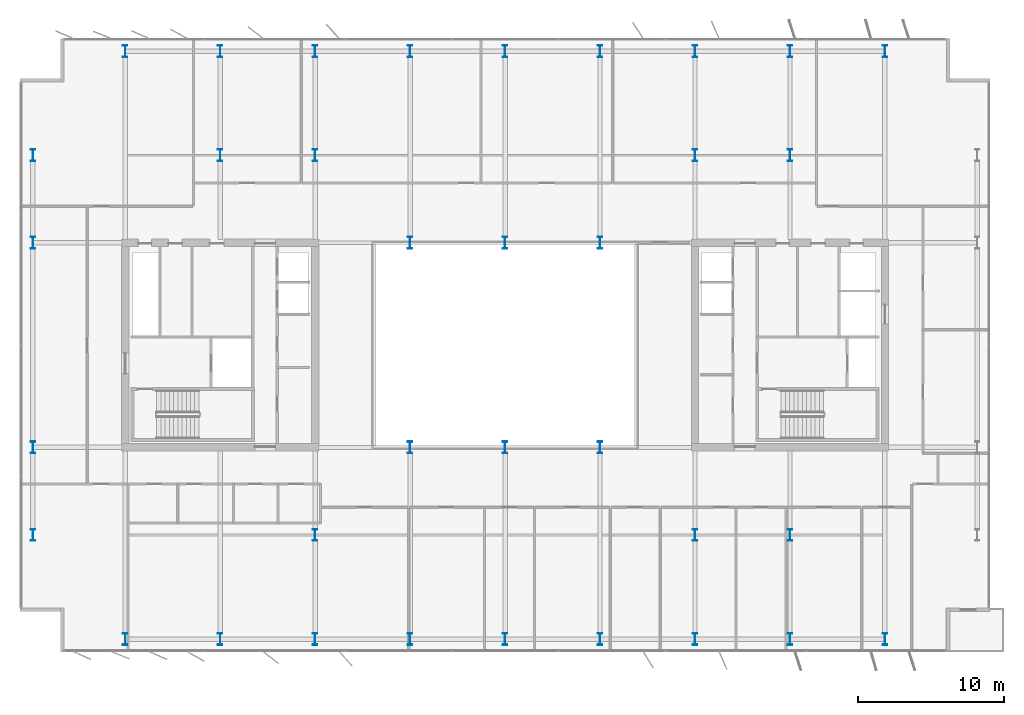
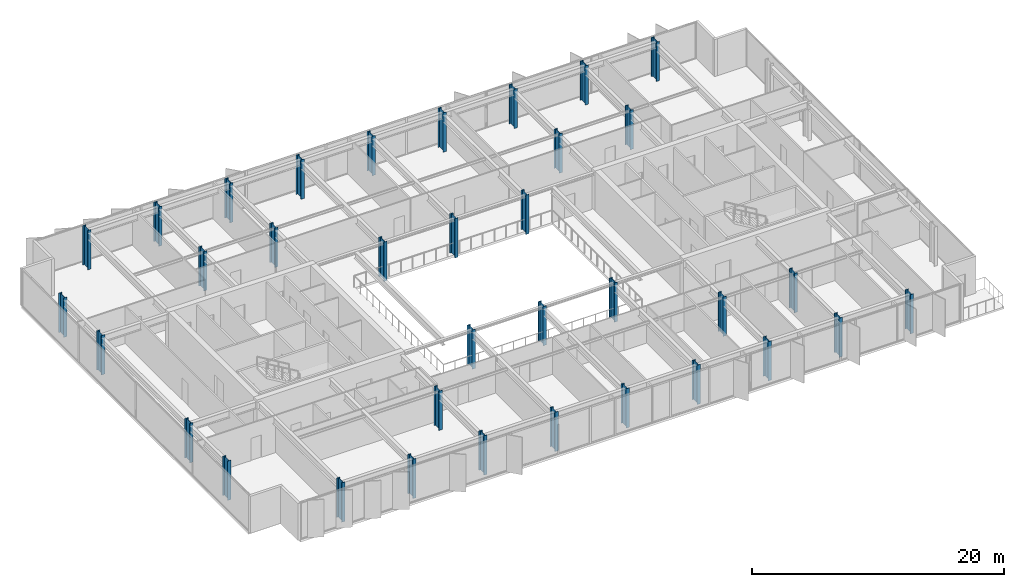
# One storey, part 1 of 24: 35 columns.
"""IFC4 building model written with IfcOpenShell, lengths in metres."""

import ifcopenshell
import ifcopenshell.guid

model = None  # the IFC model being written
_history = None  # IfcOwnerHistory: only IFC2X3 demands one
_inside = {}  # id of a spatial element -> (the spatial element, [elements in it])
_under = {}  # id of a project, library or spatial element -> (it, [spatial elements below it])
_declared = {}  # id of a project -> (the project, [libraries it declares])
_typed = {}  # id of a type object -> (the type object, [elements of that type])
_made_of = {}  # id of a material, layer set ... -> (it, [elements and type objects made of it])


def new_model(schema):
    """Start an empty IFC model of exactly this schema.

    Asked for "IFC4X3", IfcOpenShell would pick the latest addendum, in which some entities
    have other attributes; the version numbers below select the first issue.
    IFC2X3 requires an IfcOwnerHistory on every rooted entity: one is made here for all.
    """
    global model, _history
    if schema == "IFC4X3":
        model = ifcopenshell.file(schema_version=(4, 3, 0, 0))
    else:
        model = ifcopenshell.file(schema=schema)
    _inside.clear()
    _under.clear()
    _declared.clear()
    _typed.clear()
    _made_of.clear()
    _history = None
    if model.schema == "IFC2X3":
        org = make("IfcOrganization", Name="unknown")
        user = make(
            "IfcPersonAndOrganization",
            ThePerson=make("IfcPerson", FamilyName="unknown"),
            TheOrganization=org,
        )
        app = make(
            "IfcApplication",
            ApplicationDeveloper=org,
            Version="unknown",
            ApplicationFullName="unknown",
            ApplicationIdentifier="unknown",
        )
        _history = make(
            "IfcOwnerHistory",
            OwningUser=user,
            OwningApplication=app,
            ChangeAction="ADDED",
            CreationDate=0,
        )
    return model


def make(cls, **values):
    """One entity of the class cls with the attributes given. An attribute that is None is left unset."""
    return model.create_entity(
        cls, **{name: value for name, value in values.items() if value is not None}
    )


def rooted(cls, **values):
    """An entity with a GlobalId (a new one), such as an element, a storey or a relation."""
    return make(cls, GlobalId=ifcopenshell.guid.new(), OwnerHistory=_history, **values)


def si_unit(unit_type, name, prefix=None):
    """IfcSIUnit, for example si_unit("LENGTHUNIT", "METRE", prefix="MILLI")."""
    return make("IfcSIUnit", UnitType=unit_type, Prefix=prefix, Name=name)


def assignment(units):
    """IfcUnitAssignment: the units of a project."""
    return None if units is None else make("IfcUnitAssignment", Units=units)


def point(xyz):
    """IfcCartesianPoint."""
    return None if xyz is None else make("IfcCartesianPoint", Coordinates=xyz)


def direction(xyz):
    """IfcDirection."""
    return None if xyz is None else make("IfcDirection", DirectionRatios=xyz)


def frame(location, z_axis=None, x_axis=None):
    """IfcAxis2Placement3D, a coordinate frame: its origin and axes. An axis left out is left unset."""
    return make(
        "IfcAxis2Placement3D",
        Location=point(location),
        Axis=direction(z_axis),
        RefDirection=direction(x_axis),
    )


def frame_2d(location, x_axis=None):
    """IfcAxis2Placement2D, a coordinate frame in the plane: its origin and x axis."""
    return make(
        "IfcAxis2Placement2D", Location=point(location), RefDirection=direction(x_axis)
    )


def origin():
    """The frame at (0, 0, 0) with its axes left unset."""
    return frame((0.0, 0.0, 0.0))


def origin_2d():
    """The frame at (0, 0) in the plane with its x axis left unset."""
    return frame_2d((0.0, 0.0))


def place(relative_to, where):
    """IfcLocalPlacement: puts the frame where relative to a parent placement (None: the world)."""
    return make(
        "IfcLocalPlacement", PlacementRelTo=relative_to, RelativePlacement=where
    )


def context(
    kind, dimensions, precision=None, world=None, true_north=None, identifier=None
):
    """IfcGeometricRepresentationContext, for example the 3D "Model" context."""
    return make(
        "IfcGeometricRepresentationContext",
        ContextIdentifier=identifier,
        ContextType=kind,
        CoordinateSpaceDimension=dimensions,
        Precision=precision,
        WorldCoordinateSystem=world,
        TrueNorth=true_north,
    )


def subcontext(parent, identifier, kind, view, scale=None):
    """IfcGeometricRepresentationSubContext, for example "Body" below "Model"."""
    return make(
        "IfcGeometricRepresentationSubContext",
        ContextIdentifier=identifier,
        ContextType=kind,
        ParentContext=parent,
        TargetScale=scale,
        TargetView=view,
    )


def project(units=None, contexts=None):
    """IfcProject with its units and contexts."""
    return rooted(
        "IfcProject",
        Name="project",
        RepresentationContexts=contexts,
        UnitsInContext=assignment(units),
    )


def spatial(cls, under=None, at=None, **own):
    """A site, building, storey or space (cls), placed at a placement, below another one or the project."""
    s = rooted(cls, ObjectPlacement=at, **own)
    if under is not None:
        _under.setdefault(under.id(), (under, []))[1].append(s)
    return s


def profile(cls, at=None, kind="AREA", **sizes):
    """A parametric profile (cls). Its sizes go by their IFC names, for example OverallWidth=200.0."""
    return make(cls, ProfileType=kind, Position=at, **sizes)


def i_section(**sizes):
    """IfcIShapeProfileDef."""
    return profile("IfcIShapeProfileDef", **sizes)


def extrude(swept, where, along, depth):
    """IfcExtrudedAreaSolid: the profile swept, set in the frame where, extruded along a direction by depth."""
    return make(
        "IfcExtrudedAreaSolid",
        SweptArea=swept,
        Position=where,
        ExtrudedDirection=direction(along),
        Depth=depth,
    )


def shape(context_of_items, identifier, shape_type, items):
    """IfcShapeRepresentation: the items that make up one representation, for example the "Body"."""
    return make(
        "IfcShapeRepresentation",
        ContextOfItems=context_of_items,
        RepresentationIdentifier=identifier,
        RepresentationType=shape_type,
        Items=items,
    )


def material(Name=None, Category=None):
    """IfcMaterial."""
    return make("IfcMaterial", Name=Name, Category=Category)


def material_profile(
    of_material, cross_section, Name=None, Category=None, Priority=None
):
    """IfcMaterialProfile: a cross section and its material."""
    return make(
        "IfcMaterialProfile",
        Name=Name,
        Material=of_material,
        Profile=cross_section,
        Priority=Priority,
        Category=Category,
    )


def profile_set(profiles, Name=None, composite=None):
    """IfcMaterialProfileSet."""
    return make(
        "IfcMaterialProfileSet",
        Name=Name,
        MaterialProfiles=profiles,
        CompositeProfile=composite,
    )


def made_of(thing, what):
    """Note that an element or type object is made of a material, layer set ...; save() writes the relation."""
    if what is not None:
        _made_of.setdefault(what.id(), (what, []))[1].append(thing)
    return thing


def type_object(cls, material=None, **own):
    """A type object (cls), such as IfcWallType, which elements share."""
    return made_of(rooted(cls, **own), material)


def element(
    cls,
    number,
    at=None,
    inside=None,
    cuts=None,
    type_object=None,
    material=None,
    context=None,
    identifier="Body",
    shape_type=None,
    held_by="IfcProductDefinitionShape",
    body=None,
    shapes=None,
    **own,
):
    """One element of the class cls, such as IfcWall. Its Tag is "e" and its number.

    at: its placement. inside: the storey or other place that contains it. cuts: it is an
    opening in that element (IfcRelVoidsElement). A single representation is given by context,
    identifier, shape_type and body (its items); several are given by shapes. held_by: the class
    of the entity that holds the representations. save() writes the other relations.
    """
    e = rooted(cls, Tag="e%d" % number, ObjectPlacement=at, **own)
    if body is not None:
        shapes = [shape(context, identifier, shape_type, body)]
    if shapes is not None:
        e.Representation = make(held_by, Representations=shapes)
    if inside is not None:
        _inside.setdefault(inside.id(), (inside, []))[1].append(e)
    if cuts is not None:
        rooted(
            "IfcRelVoidsElement", RelatingBuildingElement=cuts, RelatedOpeningElement=e
        )
    if type_object is not None:
        _typed.setdefault(type_object.id(), (type_object, []))[1].append(e)
    return made_of(e, material)


def aggregate(whole, parts):
    """IfcRelAggregates: a whole, such as a stair, and the parts it consists of."""
    return rooted("IfcRelAggregates", RelatingObject=whole, RelatedObjects=parts)


def save(model, path):
    """Write the relations noted so far, then the file.

    IfcRelAggregates (storeys below a building ...), IfcRelContainedInSpatialStructure (elements
    in a storey), IfcRelDefinesByType, IfcRelAssociatesMaterial and IfcRelDeclares: one each for
    every whole, place, type object, material and project.
    """
    for whole, parts in _under.values():
        aggregate(whole, parts)
    for where, things in _inside.values():
        rooted(
            "IfcRelContainedInSpatialStructure",
            RelatedElements=things,
            RelatingStructure=where,
        )
    for kind, things in _typed.values():
        rooted("IfcRelDefinesByType", RelatedObjects=things, RelatingType=kind)
    for what, things in _made_of.values():
        rooted("IfcRelAssociatesMaterial", RelatedObjects=things, RelatingMaterial=what)
    for by, libraries in _declared.values():
        rooted("IfcRelDeclares", RelatingContext=by, RelatedDefinitions=libraries)
    model.write(path)


model = new_model("IFC4")

# Units and contexts
model_context = context("Model", 3, precision=1e-05, world=origin(), true_north=direction((0.0, 1.0)))
body_context = subcontext(model_context, "Body", "Model", "MODEL_VIEW")
ifc_project = project(units=[si_unit("LENGTHUNIT", "METRE"), si_unit("AREAUNIT", "SQUARE_METRE"), si_unit("VOLUMEUNIT", "CUBIC_METRE"), si_unit("PLANEANGLEUNIT", "RADIAN"), si_unit("MASSUNIT", "GRAM", prefix="KILO")], contexts=[model_context])

# Site, building, storey
site_placement = place(None, origin())
site = spatial("IfcSite", under=ifc_project, at=site_placement, CompositionType="ELEMENT")
building_placement = place(site_placement, origin())
building = spatial("IfcBuilding", under=site, at=building_placement, Name="Putna Gate Headquarters", CompositionType="ELEMENT")
storey_placement = place(building_placement, frame((0.0, 0.0, 244.199951171875)))
storey = spatial("IfcBuildingStorey", under=building, at=storey_placement, Name="L61", CompositionType="ELEMENT", Elevation=244.199951171875)

# Columns
ifc_material = material(Name="Steel S460M", Category="steel")
ifc_material_profile_1 = material_profile(ifc_material, i_section(OverallWidth=0.302978515625, OverallDepth=0.81396484375, WebThickness=0.02099609375, FlangeThickness=0.0400390625, at=origin_2d()), Name="Steel S460M")
ifc_profile_set_1 = profile_set([ifc_material_profile_1], Name="Steel S460M")
column_type_1 = type_object("IfcColumnType", Name="COL-STL-HEM800-EXT", PredefinedType="COLUMN", material=ifc_profile_set_1)
for number, where, z_axis, x_axis, name in (
    (1, (13.0, 5.8798828125, 0.0), (0.0, 0.0, 1.0), (1.0, 0.0, 0.0), "L61 Column CP-S13"),
    (2, (13.0, 46.1201171875, 0.0), (0.0, 0.0, 1.0), (1.0, 0.0, 0.0), "L61 Column CP-N13"),
    (3, (19.5, 5.8798828125, 0.0), (0.0, 0.0, 1.0), (1.0, 0.0, 0.0), "L61 Column CP-S19"),
    (4, (19.5, 46.1201171875, 0.0), (0.0, 0.0, 1.0), (1.0, 0.0, 0.0), "L61 Column CP-N19"),
    (5, (26.0, 5.8798828125, 0.0), (0.0, 0.0, 1.0), (1.0, 0.0, 0.0), "L61 Column CP-S26"),
    (6, (26.0, 46.1201171875, 0.0), (0.0, 0.0, 1.0), (1.0, 0.0, 0.0), "L61 Column CP-N26"),
    (7, (32.5, 5.8798828125, 0.0), (0.0, 0.0, 1.0), (1.0, 0.0, 0.0), "L61 Column CP-S32"),
    (8, (32.5, 46.1201171875, 0.0), (0.0, 0.0, 1.0), (1.0, 0.0, 0.0), "L61 Column CP-N32"),
    (9, (39.0, 5.8798828125, 0.0), (0.0, 0.0, 1.0), (1.0, 0.0, 0.0), "L61 Column CP-S39"),
    (10, (39.0, 46.1201171875, 0.0), (0.0, 0.0, 1.0), (1.0, 0.0, 0.0), "L61 Column CP-N39"),
    (11, (45.5, 5.8798828125, 0.0), (0.0, 0.0, 1.0), (1.0, 0.0, 0.0), "L61 Column CP-S45"),
    (12, (45.5, 46.1201171875, 0.0), (0.0, 0.0, 1.0), (1.0, 0.0, 0.0), "L61 Column CP-N45"),
    (13, (52.0, 5.8798828125, 0.0), (0.0, 0.0, 1.0), (1.0, 0.0, 0.0), "L61 Column CP-S52"),
    (14, (52.0, 46.1201171875, 0.0), (0.0, 0.0, 1.0), (1.0, 0.0, 0.0), "L61 Column CP-N52"),
    (15, (58.5, 5.8798828125, 0.0), (0.0, 0.0, 1.0), (1.0, 0.0, 0.0), "L61 Column CP-S58"),
    (16, (58.5, 46.1201171875, 0.0), (0.0, 0.0, 1.0), (1.0, 0.0, 0.0), "L61 Column CP-N58"),
    (17, (65.0, 5.8798828125, 0.0), (0.0, 0.0, 1.0), (1.0, 0.0, 0.0), "L61 Column CP-S65"),
    (18, (65.0, 46.1201171875, 0.0), (0.0, 0.0, 1.0), (1.0, 0.0, 0.0), "L61 Column CP-N65"),
    (19, (6.679931640625, 13.0, 0.0), (0.0, 0.0, 1.0), (1.0, 0.0, 0.0), "L61 Column CP-W13"),
    (20, (6.679931640625, 19.0, 0.0), (0.0, 0.0, 1.0), (1.0, 0.0, 0.0), "L61 Column CP-W19"),
    (21, (6.679931640625, 33.0, 0.0), (0.0, 0.0, 1.0), (1.0, 0.0, 0.0), "L61 Column CP-W33"),
    (22, (6.679931640625, 39.0, 0.0), (0.0, 0.0, 1.0), (1.0, 0.0, 0.0), "L61 Column CP-W39"),
):
    element("IfcColumn", number, at=place(storey_placement, frame(where, z_axis=z_axis, x_axis=x_axis)), inside=storey, type_object=column_type_1, Name=name, PredefinedType="COLUMN", context=body_context, shape_type="SweptSolid", body=[
        extrude(i_section(OverallWidth=0.302978515625, OverallDepth=0.81396484375, WebThickness=0.02099609375, FlangeThickness=0.0400390625, at=origin_2d()), origin(), (0.0, 0.0, 1.0), 3.800048828125),
    ])
ifc_material_profile_2 = material_profile(ifc_material, i_section(OverallWidth=0.302978515625, OverallDepth=0.81396484375, WebThickness=0.02099609375, FlangeThickness=0.0400390625, at=origin_2d()), Name="Steel S460M")
ifc_profile_set_2 = profile_set([ifc_material_profile_2], Name="Steel S460M")
column_type_2 = type_object("IfcColumnType", Name="COL-STL-HEM800-INT", PredefinedType="COLUMN", material=ifc_profile_set_2)
for number, where, z_axis, x_axis, name in (
    (23, (19.5, 39.0, 0.0), (0.0, 0.0, 1.0), (1.0, 0.0, 0.0), "L61 Column CSI-WN"),
    (24, (58.5, 13.0, 0.0), (0.0, 0.0, 1.0), (1.0, 0.0, 0.0), "L61 Column CSI-ES"),
    (25, (58.5, 39.0, 0.0), (0.0, 0.0, 1.0), (1.0, 0.0, 0.0), "L61 Column CSI-EN"),
    (26, (32.5, 19.0, 0.0), (0.0, 0.0, 1.0), (1.0, 0.0, 0.0), "L61 Column CAI-S32"),
    (27, (32.5, 33.0, 0.0), (0.0, 0.0, 1.0), (1.0, 0.0, 0.0), "L61 Column CAI-N32"),
    (28, (39.0, 19.0, 0.0), (0.0, 0.0, 1.0), (1.0, 0.0, 0.0), "L61 Column CAI-S39"),
    (29, (39.0, 33.0, 0.0), (0.0, 0.0, 1.0), (1.0, 0.0, 0.0), "L61 Column CAI-N39"),
    (30, (45.5, 19.0, 0.0), (0.0, 0.0, 1.0), (1.0, 0.0, 0.0), "L61 Column CAI-S45"),
    (31, (45.5, 33.0, 0.0), (0.0, 0.0, 1.0), (1.0, 0.0, 0.0), "L61 Column CAI-N45"),
    (32, (26.0, 13.0, 0.0), (0.0, 0.0, 1.0), (1.0, 0.0, 0.0), "L61 Column CAP-WS"),
    (33, (26.0, 39.0, 0.0), (0.0, 0.0, 1.0), (1.0, 0.0, 0.0), "L61 Column CAP-WN"),
    (34, (52.0, 13.0, 0.0), (0.0, 0.0, 1.0), (1.0, 0.0, 0.0), "L61 Column CAP-ES"),
    (35, (52.0, 39.0, 0.0), (0.0, 0.0, 1.0), (1.0, 0.0, 0.0), "L61 Column CAP-EN"),
):
    element("IfcColumn", number, at=place(storey_placement, frame(where, z_axis=z_axis, x_axis=x_axis)), inside=storey, type_object=column_type_2, Name=name, PredefinedType="COLUMN", context=body_context, shape_type="SweptSolid", body=[
        extrude(i_section(OverallWidth=0.302978515625, OverallDepth=0.81396484375, WebThickness=0.02099609375, FlangeThickness=0.0400390625, at=origin_2d()), origin(), (0.0, 0.0, 1.0), 3.800048828125),
    ])

save(model, "model.ifc")
